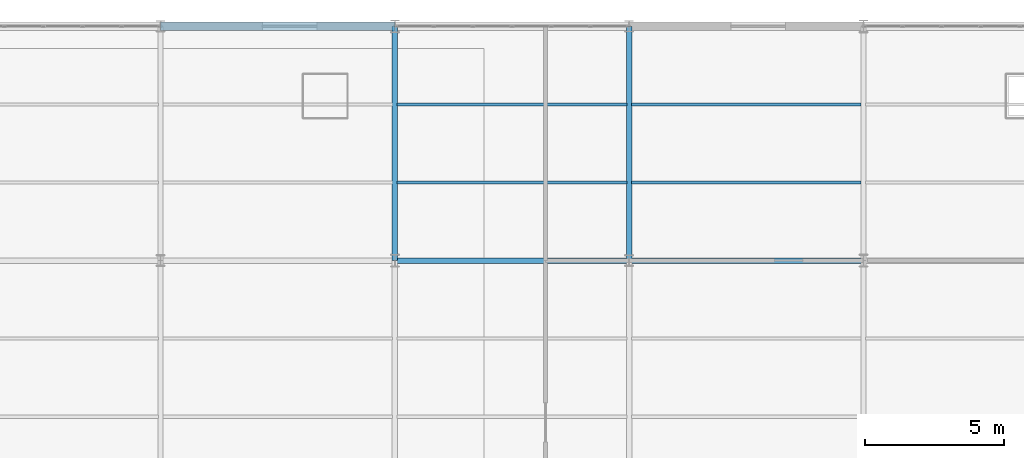
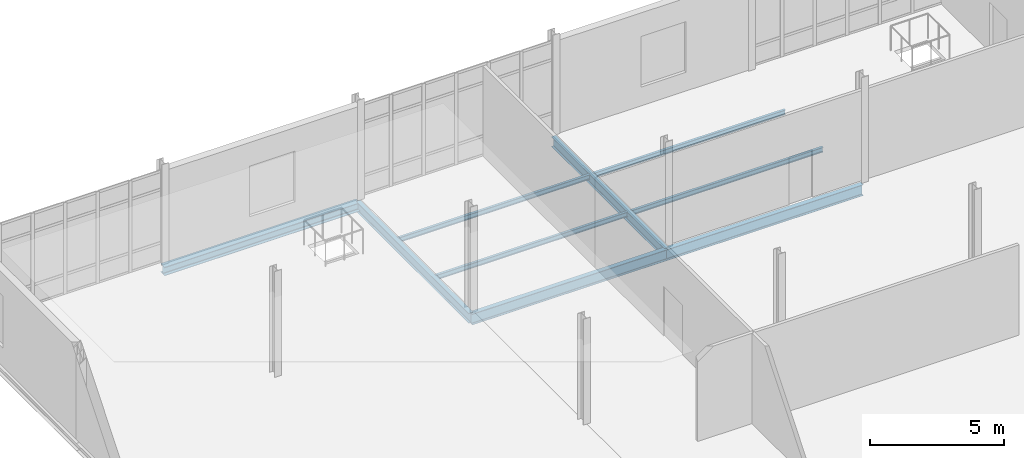
# One storey, part 17 of 28: 9 beams.
"""IFC4 building model written with IfcOpenShell, lengths in metres."""

import ifcopenshell
import ifcopenshell.guid

model = None  # the IFC model being written
_history = None  # IfcOwnerHistory: only IFC2X3 demands one
_inside = {}  # id of a spatial element -> (the spatial element, [elements in it])
_under = {}  # id of a project, library or spatial element -> (it, [spatial elements below it])
_declared = {}  # id of a project -> (the project, [libraries it declares])
_typed = {}  # id of a type object -> (the type object, [elements of that type])
_made_of = {}  # id of a material, layer set ... -> (it, [elements and type objects made of it])


def new_model(schema):
    """Start an empty IFC model of exactly this schema.

    Asked for "IFC4X3", IfcOpenShell would pick the latest addendum, in which some entities
    have other attributes; the version numbers below select the first issue.
    IFC2X3 requires an IfcOwnerHistory on every rooted entity: one is made here for all.
    """
    global model, _history
    if schema == "IFC4X3":
        model = ifcopenshell.file(schema_version=(4, 3, 0, 0))
    else:
        model = ifcopenshell.file(schema=schema)
    _inside.clear()
    _under.clear()
    _declared.clear()
    _typed.clear()
    _made_of.clear()
    _history = None
    if model.schema == "IFC2X3":
        org = make("IfcOrganization", Name="unknown")
        user = make(
            "IfcPersonAndOrganization",
            ThePerson=make("IfcPerson", FamilyName="unknown"),
            TheOrganization=org,
        )
        app = make(
            "IfcApplication",
            ApplicationDeveloper=org,
            Version="unknown",
            ApplicationFullName="unknown",
            ApplicationIdentifier="unknown",
        )
        _history = make(
            "IfcOwnerHistory",
            OwningUser=user,
            OwningApplication=app,
            ChangeAction="ADDED",
            CreationDate=0,
        )
    return model


def make(cls, **values):
    """One entity of the class cls with the attributes given. An attribute that is None is left unset."""
    return model.create_entity(
        cls, **{name: value for name, value in values.items() if value is not None}
    )


def rooted(cls, **values):
    """An entity with a GlobalId (a new one), such as an element, a storey or a relation."""
    return make(cls, GlobalId=ifcopenshell.guid.new(), OwnerHistory=_history, **values)


def si_unit(unit_type, name, prefix=None):
    """IfcSIUnit, for example si_unit("LENGTHUNIT", "METRE", prefix="MILLI")."""
    return make("IfcSIUnit", UnitType=unit_type, Prefix=prefix, Name=name)


def assignment(units):
    """IfcUnitAssignment: the units of a project."""
    return None if units is None else make("IfcUnitAssignment", Units=units)


def point(xyz):
    """IfcCartesianPoint."""
    return None if xyz is None else make("IfcCartesianPoint", Coordinates=xyz)


def direction(xyz):
    """IfcDirection."""
    return None if xyz is None else make("IfcDirection", DirectionRatios=xyz)


def frame(location, z_axis=None, x_axis=None):
    """IfcAxis2Placement3D, a coordinate frame: its origin and axes. An axis left out is left unset."""
    return make(
        "IfcAxis2Placement3D",
        Location=point(location),
        Axis=direction(z_axis),
        RefDirection=direction(x_axis),
    )


def frame_2d(location, x_axis=None):
    """IfcAxis2Placement2D, a coordinate frame in the plane: its origin and x axis."""
    return make(
        "IfcAxis2Placement2D", Location=point(location), RefDirection=direction(x_axis)
    )


def origin():
    """The frame at (0, 0, 0) with its axes left unset."""
    return frame((0.0, 0.0, 0.0))


def origin_2d():
    """The frame at (0, 0) in the plane with its x axis left unset."""
    return frame_2d((0.0, 0.0))


def place(relative_to, where):
    """IfcLocalPlacement: puts the frame where relative to a parent placement (None: the world)."""
    return make(
        "IfcLocalPlacement", PlacementRelTo=relative_to, RelativePlacement=where
    )


def context(
    kind, dimensions, precision=None, world=None, true_north=None, identifier=None
):
    """IfcGeometricRepresentationContext, for example the 3D "Model" context."""
    return make(
        "IfcGeometricRepresentationContext",
        ContextIdentifier=identifier,
        ContextType=kind,
        CoordinateSpaceDimension=dimensions,
        Precision=precision,
        WorldCoordinateSystem=world,
        TrueNorth=true_north,
    )


def subcontext(parent, identifier, kind, view, scale=None):
    """IfcGeometricRepresentationSubContext, for example "Body" below "Model"."""
    return make(
        "IfcGeometricRepresentationSubContext",
        ContextIdentifier=identifier,
        ContextType=kind,
        ParentContext=parent,
        TargetScale=scale,
        TargetView=view,
    )


def project(units=None, contexts=None):
    """IfcProject with its units and contexts."""
    return rooted(
        "IfcProject",
        Name="project",
        RepresentationContexts=contexts,
        UnitsInContext=assignment(units),
    )


def spatial(cls, under=None, at=None, **own):
    """A site, building, storey or space (cls), placed at a placement, below another one or the project."""
    s = rooted(cls, ObjectPlacement=at, **own)
    if under is not None:
        _under.setdefault(under.id(), (under, []))[1].append(s)
    return s


def profile(cls, at=None, kind="AREA", **sizes):
    """A parametric profile (cls). Its sizes go by their IFC names, for example OverallWidth=200.0."""
    return make(cls, ProfileType=kind, Position=at, **sizes)


def i_section(**sizes):
    """IfcIShapeProfileDef."""
    return profile("IfcIShapeProfileDef", **sizes)


def extrude(swept, where, along, depth):
    """IfcExtrudedAreaSolid: the profile swept, set in the frame where, extruded along a direction by depth."""
    return make(
        "IfcExtrudedAreaSolid",
        SweptArea=swept,
        Position=where,
        ExtrudedDirection=direction(along),
        Depth=depth,
    )


def shape(context_of_items, identifier, shape_type, items):
    """IfcShapeRepresentation: the items that make up one representation, for example the "Body"."""
    return make(
        "IfcShapeRepresentation",
        ContextOfItems=context_of_items,
        RepresentationIdentifier=identifier,
        RepresentationType=shape_type,
        Items=items,
    )


def material(Name=None, Category=None):
    """IfcMaterial."""
    return make("IfcMaterial", Name=Name, Category=Category)


def material_profile(
    of_material, cross_section, Name=None, Category=None, Priority=None
):
    """IfcMaterialProfile: a cross section and its material."""
    return make(
        "IfcMaterialProfile",
        Name=Name,
        Material=of_material,
        Profile=cross_section,
        Priority=Priority,
        Category=Category,
    )


def profile_set(profiles, Name=None, composite=None):
    """IfcMaterialProfileSet."""
    return make(
        "IfcMaterialProfileSet",
        Name=Name,
        MaterialProfiles=profiles,
        CompositeProfile=composite,
    )


def made_of(thing, what):
    """Note that an element or type object is made of a material, layer set ...; save() writes the relation."""
    if what is not None:
        _made_of.setdefault(what.id(), (what, []))[1].append(thing)
    return thing


def type_object(cls, material=None, **own):
    """A type object (cls), such as IfcWallType, which elements share."""
    return made_of(rooted(cls, **own), material)


def element(
    cls,
    number,
    at=None,
    inside=None,
    cuts=None,
    type_object=None,
    material=None,
    context=None,
    identifier="Body",
    shape_type=None,
    held_by="IfcProductDefinitionShape",
    body=None,
    shapes=None,
    **own,
):
    """One element of the class cls, such as IfcWall. Its Tag is "e" and its number.

    at: its placement. inside: the storey or other place that contains it. cuts: it is an
    opening in that element (IfcRelVoidsElement). A single representation is given by context,
    identifier, shape_type and body (its items); several are given by shapes. held_by: the class
    of the entity that holds the representations. save() writes the other relations.
    """
    e = rooted(cls, Tag="e%d" % number, ObjectPlacement=at, **own)
    if body is not None:
        shapes = [shape(context, identifier, shape_type, body)]
    if shapes is not None:
        e.Representation = make(held_by, Representations=shapes)
    if inside is not None:
        _inside.setdefault(inside.id(), (inside, []))[1].append(e)
    if cuts is not None:
        rooted(
            "IfcRelVoidsElement", RelatingBuildingElement=cuts, RelatedOpeningElement=e
        )
    if type_object is not None:
        _typed.setdefault(type_object.id(), (type_object, []))[1].append(e)
    return made_of(e, material)


def aggregate(whole, parts):
    """IfcRelAggregates: a whole, such as a stair, and the parts it consists of."""
    return rooted("IfcRelAggregates", RelatingObject=whole, RelatedObjects=parts)


def save(model, path):
    """Write the relations noted so far, then the file.

    IfcRelAggregates (storeys below a building ...), IfcRelContainedInSpatialStructure (elements
    in a storey), IfcRelDefinesByType, IfcRelAssociatesMaterial and IfcRelDeclares: one each for
    every whole, place, type object, material and project.
    """
    for whole, parts in _under.values():
        aggregate(whole, parts)
    for where, things in _inside.values():
        rooted(
            "IfcRelContainedInSpatialStructure",
            RelatedElements=things,
            RelatingStructure=where,
        )
    for kind, things in _typed.values():
        rooted("IfcRelDefinesByType", RelatedObjects=things, RelatingType=kind)
    for what, things in _made_of.values():
        rooted("IfcRelAssociatesMaterial", RelatedObjects=things, RelatingMaterial=what)
    for by, libraries in _declared.values():
        rooted("IfcRelDeclares", RelatingContext=by, RelatedDefinitions=libraries)
    model.write(path)


model = new_model("IFC4")

# Units and contexts
model_context = context("Model", 3, precision=1e-05, world=origin(), true_north=direction((0.0, 1.0)))
body_context = subcontext(model_context, "Body", "Model", "MODEL_VIEW")
ifc_project = project(units=[si_unit("LENGTHUNIT", "METRE"), si_unit("AREAUNIT", "SQUARE_METRE"), si_unit("VOLUMEUNIT", "CUBIC_METRE"), si_unit("PLANEANGLEUNIT", "RADIAN"), si_unit("MASSUNIT", "GRAM", prefix="KILO")], contexts=[model_context])

# Site, building, storey
site_placement = place(None, origin())
site = spatial("IfcSite", under=ifc_project, at=site_placement, CompositionType="ELEMENT")
building_placement = place(site_placement, origin())
building = spatial("IfcBuilding", under=site, at=building_placement, Name="Qalvenar Corner Mobility Hub", CompositionType="ELEMENT")
storey_placement = place(building_placement, frame((0.0, 0.0, 21.60009765625)))
storey = spatial("IfcBuildingStorey", under=building, at=storey_placement, Name="L05", CompositionType="ELEMENT", Elevation=21.60009765625)

# Beams
ifc_material = material(Name="Steel S355", Category="steel")
ifc_material_profile_1 = material_profile(ifc_material, i_section(OverallWidth=0.18994140625, OverallDepth=0.449951171875, WebThickness=0.009521484375, FlangeThickness=0.0146484375, FilletRadius=0.02099609375, at=origin_2d()), Name="IPE450")
ifc_profile_set_1 = profile_set([ifc_material_profile_1], Name="Steel S355")
beam_type_1 = type_object("IfcBeamType", Name="BM-IPE450", PredefinedType="BEAM", material=ifc_profile_set_1)
for number, where, z_axis, x_axis, name in (
    (1, (16.800048828125, 33.60009765625, -0.405029296875), (0.0, 1.0, 0.0), (-1.0, 0.0, 0.0), "Primary Steel Girder GY-2989"),
    (2, (25.199951171875, 33.60009765625, -0.405029296875), (0.0, 1.0, 0.0), (-1.0, 0.0, 0.0), "Primary Steel Girder GY-2994"),
):
    element("IfcBeam", number, at=place(storey_placement, frame(where, z_axis=z_axis, x_axis=x_axis)), inside=storey, type_object=beam_type_1, Name=name, PredefinedType="BEAM", context=body_context, shape_type="SweptSolid", body=[
        extrude(i_section(OverallWidth=0.18994140625, OverallDepth=0.449951171875, WebThickness=0.009521484375, FlangeThickness=0.0146484375, FilletRadius=0.02099609375, at=origin_2d()), origin(), (0.0, 0.0, 1.0), 8.39990234375),
    ])
ifc_material_profile_2 = material_profile(ifc_material, i_section(OverallWidth=0.199951171875, OverallDepth=0.5, WebThickness=0.01025390625, FlangeThickness=0.01611328125, FilletRadius=0.02099609375, at=origin_2d()), Name="IPE500")
ifc_profile_set_2 = profile_set([ifc_material_profile_2], Name="Steel S355")
beam_type_2 = type_object("IfcBeamType", Name="BM-IPE500", PredefinedType="BEAM", material=ifc_profile_set_2)
beam_1_placement = place(storey_placement, frame((16.800048828125, 33.60009765625, -0.43017578125), z_axis=(1.0, 0.0, 0.0), x_axis=(0.0, 1.0, 0.0)))
element("IfcBeam", 3, at=beam_1_placement, inside=storey, type_object=beam_type_2, Name="Primary Steel Girder GX-2967", PredefinedType="BEAM", context=body_context, shape_type="SweptSolid", body=[
    extrude(i_section(OverallWidth=0.199951171875, OverallDepth=0.5, WebThickness=0.01025390625, FlangeThickness=0.01611328125, FilletRadius=0.02099609375, at=origin_2d()), origin(), (0.0, 0.0, 1.0), 8.39990234375),
])
beam_2_placement = place(storey_placement, frame((25.199951171875, 33.60009765625, -0.43017578125), z_axis=(1.0, 0.0, 0.0), x_axis=(0.0, 1.0, 0.0)))
element("IfcBeam", 4, at=beam_2_placement, inside=storey, type_object=beam_type_2, Name="Primary Steel Girder GX-2968", PredefinedType="BEAM", context=body_context, shape_type="SweptSolid", body=[
    extrude(i_section(OverallWidth=0.199951171875, OverallDepth=0.5, WebThickness=0.01025390625, FlangeThickness=0.01611328125, FilletRadius=0.02099609375, at=origin_2d()), origin(), (0.0, 0.0, 1.0), 8.400146484375),
])
ifc_material_profile_3 = material_profile(ifc_material, i_section(OverallWidth=0.110107421875, OverallDepth=0.219970703125, WebThickness=0.005859375, FlangeThickness=0.00927734375, FilletRadius=0.011962890625, at=origin_2d()), Name="IPE220")
ifc_profile_set_3 = profile_set([ifc_material_profile_3], Name="Steel S355")
beam_type_3 = type_object("IfcBeamType", Name="BM-JST220", PredefinedType="JOIST", material=ifc_profile_set_3)
for number, where, z_axis, x_axis, name in (
    (5, (16.8779296875, 36.39990234375, -0.2900390625), (1.0, 0.0, 0.0), (0.0, 1.0, 0.0), "Composite Floor Joist J-3032"),
    (6, (16.8779296875, 39.199951171875, -0.2900390625), (1.0, 0.0, 0.0), (0.0, 1.0, 0.0), "Composite Floor Joist J-3033"),
):
    element("IfcBeam", number, at=place(storey_placement, frame(where, z_axis=z_axis, x_axis=x_axis)), inside=storey, type_object=beam_type_3, Name=name, PredefinedType="JOIST", context=body_context, shape_type="SweptSolid", body=[
        extrude(i_section(OverallWidth=0.110107421875, OverallDepth=0.219970703125, WebThickness=0.005859375, FlangeThickness=0.00927734375, FilletRadius=0.011962890625, at=origin_2d()), origin(), (0.0, 0.0, 1.0), 8.244140625),
    ])
for number, where, z_axis, x_axis, name in (
    (7, (25.278076171875, 36.39990234375, -0.2900390625), (1.0, 0.0, 0.0), (0.0, 1.0, 0.0), "Composite Floor Joist J-3042"),
    (8, (25.278076171875, 39.199951171875, -0.2900390625), (1.0, 0.0, 0.0), (0.0, 1.0, 0.0), "Composite Floor Joist J-3043"),
):
    element("IfcBeam", number, at=place(storey_placement, frame(where, z_axis=z_axis, x_axis=x_axis)), inside=storey, type_object=beam_type_3, Name=name, PredefinedType="JOIST", context=body_context, shape_type="SweptSolid", body=[
        extrude(i_section(OverallWidth=0.110107421875, OverallDepth=0.219970703125, WebThickness=0.005859375, FlangeThickness=0.00927734375, FilletRadius=0.011962890625, at=origin_2d()), origin(), (0.0, 0.0, 1.0), 8.243896484375),
    ])
ifc_material_profile_4 = material_profile(ifc_material, i_section(OverallWidth=0.300048828125, OverallDepth=0.389892578125, WebThickness=0.010986328125, FlangeThickness=0.01904296875, FilletRadius=0.027099609375, at=origin_2d()), Name="HEA400")
ifc_profile_set_4 = profile_set([ifc_material_profile_4], Name="Steel S355")
beam_type_4 = type_object("IfcBeamType", Name="BM-SPN400", PredefinedType="SPANDREL", material=ifc_profile_set_4)
beam_3_placement = place(storey_placement, frame((8.39990234375, 42.0, -0.375), z_axis=(1.0, 0.0, 0.0), x_axis=(0.0, 1.0, 0.0)))
element("IfcBeam", 9, at=beam_3_placement, inside=storey, type_object=beam_type_4, Name="Primary Steel Girder GX-2971", PredefinedType="SPANDREL", context=body_context, shape_type="SweptSolid", body=[
    extrude(i_section(OverallWidth=0.300048828125, OverallDepth=0.389892578125, WebThickness=0.010986328125, FlangeThickness=0.01904296875, FilletRadius=0.027099609375, at=origin_2d()), origin(), (0.0, 0.0, 1.0), 8.400146484375),
])

save(model, "model.ifc")
